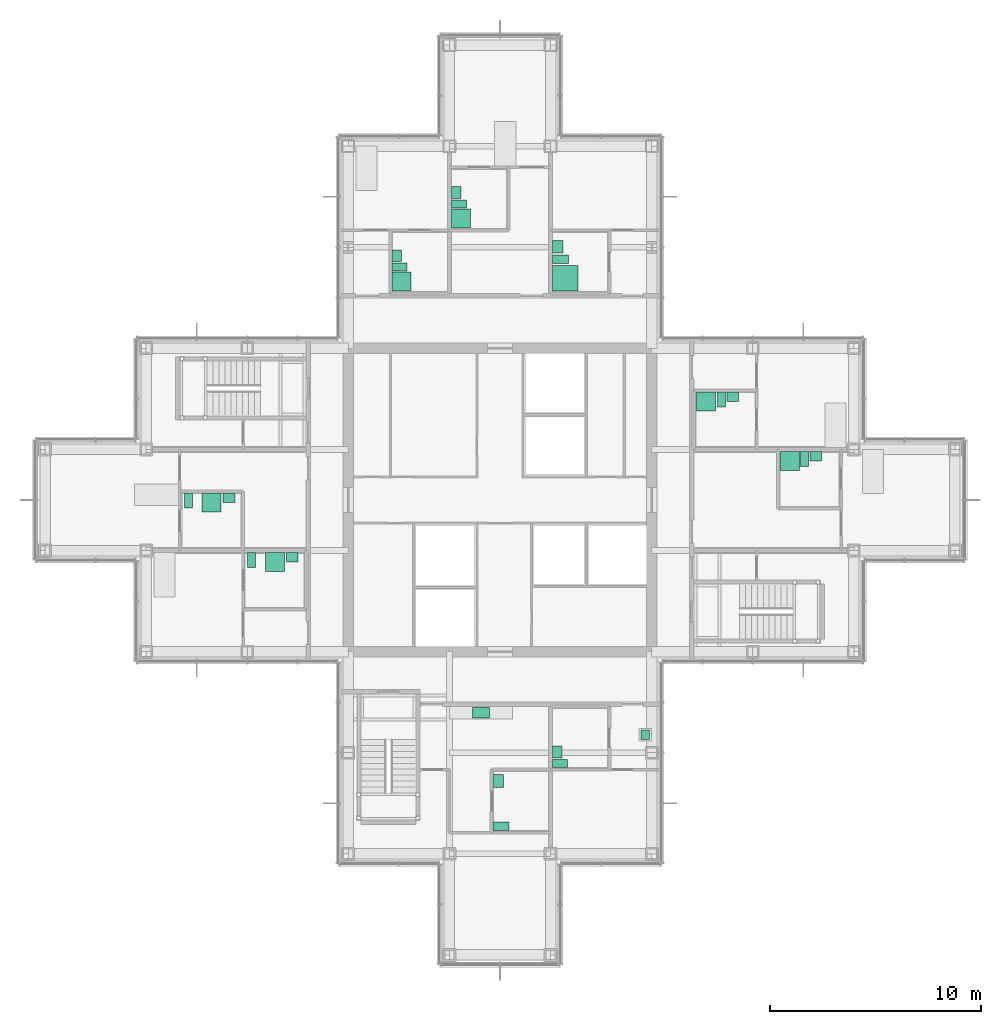
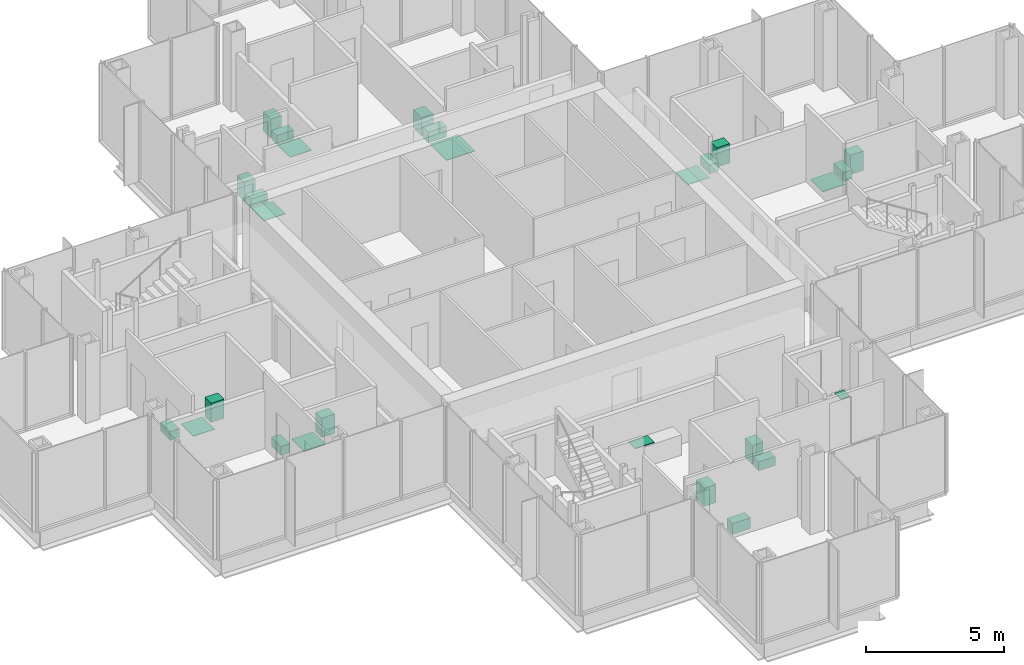
# One storey, part 16 of 17: 27 sanitary terminals.
"""IFC4 building model written with IfcOpenShell, lengths in metres."""

from ifc_helpers import new_model, si_unit, direction, frame, origin, origin_2d, place, context, subcontext, project, spatial, rectangle, extrude, material, type_object, element, save


model = new_model("IFC4")

# Units and contexts
model_context = context("Model", 3, precision=1e-05, world=origin(), true_north=direction((0.0, 1.0)))
body_context = subcontext(model_context, "Body", "Model", "MODEL_VIEW")
ifc_project = project(units=[si_unit("LENGTHUNIT", "METRE"), si_unit("AREAUNIT", "SQUARE_METRE"), si_unit("VOLUMEUNIT", "CUBIC_METRE"), si_unit("PLANEANGLEUNIT", "RADIAN"), si_unit("MASSUNIT", "GRAM", prefix="KILO")], contexts=[model_context])

# Site, building, storey
site_placement = place(None, origin())
site = spatial("IfcSite", under=ifc_project, at=site_placement, CompositionType="ELEMENT")
building_placement = place(site_placement, origin())
building = spatial("IfcBuilding", under=site, at=building_placement, Name="Kvirike Care Tower", CompositionType="ELEMENT")
storey_placement = place(building_placement, frame((0.0, 0.0, 144.5)))
storey = spatial("IfcBuildingStorey", under=building, at=storey_placement, Name="L39", CompositionType="ELEMENT", Elevation=144.5)

# Sanitary terminals
ifc_material_1 = material(Name="Vitreous china", Category="ceramic")
sanitary_terminal_type_1 = type_object("IfcSanitaryTerminalType", Name="ACCESSIBLE WASH BASIN 600 x 500", PredefinedType="WASHHANDBASIN", material=ifc_material_1)
for number, where, z_axis, x_axis, name in (
    (1, (21.527099609375, 22.659912109375, 0.02001953125), (0.0, 0.0, 1.0), (0.0, 1.0, 0.0), "Accessible wash basin L39-014"),
    (2, (24.35205078125, 48.02490234375, 0.02001953125), (0.0, 0.0, 1.0), (0.0, 1.0, 0.0), "Accessible wash basin L39-021"),
):
    element("IfcSanitaryTerminal", number, at=place(storey_placement, frame(where, z_axis=z_axis, x_axis=x_axis)), inside=storey, type_object=sanitary_terminal_type_1, Name=name, PredefinedType="WASHHANDBASIN", context=body_context, shape_type="SweptSolid", body=[
        extrude(rectangle(XDim=0.60009765625, YDim=0.5, at=origin_2d()), origin(), (0.0, 0.0, 1.0), 0.800048828125),
    ])
ifc_material_2 = material(Name="Vitreous china", Category="ceramic")
sanitary_terminal_type_2 = type_object("IfcSanitaryTerminalType", Name="ACCESSIBLE WC PAN 400 x 750", PredefinedType="TOILETPAN", material=ifc_material_2)
for number, where, z_axis, x_axis, name in (
    (3, (21.652099609375, 20.510009765625, 0.02001953125), (0.0, 0.0, 1.0), (0.0, 1.0, 0.0), "Accessible WC pan L39-014"),
    (4, (24.47705078125, 47.425048828125, 0.02001953125), (0.0, 0.0, 1.0), (0.0, 1.0, 0.0), "Accessible WC pan L39-021"),
):
    element("IfcSanitaryTerminal", number, at=place(storey_placement, frame(where, z_axis=z_axis, x_axis=x_axis)), inside=storey, type_object=sanitary_terminal_type_2, Name=name, PredefinedType="TOILETPAN", context=body_context, shape_type="SweptSolid", body=[
        extrude(rectangle(XDim=0.39990234375, YDim=0.75, at=origin_2d()), origin(), (0.0, 0.0, 1.0), 0.47998046875),
    ])
ifc_material_3 = material(Name="Stainless steel", Category="steel")
sanitary_terminal_type_3 = type_object("IfcSanitaryTerminalType", Name="KITCHEN SINK 450 x 400", PredefinedType="SINK", material=ifc_material_3)
sanitary_terminal_1_placement = place(storey_placement, frame((28.498046875, 24.85009765625, 0.89990234375), z_axis=(0.0, 0.0, 1.0), x_axis=(0.0, -1.0, 0.0)))
element("IfcSanitaryTerminal", 5, at=sanitary_terminal_1_placement, inside=storey, type_object=sanitary_terminal_type_3, Name="Kitchen sink L39-018", PredefinedType="SINK", context=body_context, shape_type="SweptSolid", body=[
    extrude(rectangle(XDim=0.449951171875, YDim=0.39990234375, at=origin_2d()), origin(), (0.0, 0.0, 1.0), 0.030029296875),
])
ifc_material_4 = material(Name="Stainless steel", Category="steel")
sanitary_terminal_type_4 = type_object("IfcSanitaryTerminalType", Name="KITCHEN SINK 800 x 500", PredefinedType="SINK", material=ifc_material_4)
sanitary_terminal_2_placement = place(storey_placement, frame((20.699951171875, 25.89794921875, 0.89990234375), z_axis=(0.0, 0.0, 1.0), x_axis=(1.0, 0.0, 0.0)))
element("IfcSanitaryTerminal", 6, at=sanitary_terminal_2_placement, inside=storey, type_object=sanitary_terminal_type_4, Name="Kitchen sink L39-015", PredefinedType="SINK", context=body_context, shape_type="SweptSolid", body=[
    extrude(rectangle(XDim=0.800048828125, YDim=0.5, at=origin_2d()), origin(), (0.0, 0.0, 1.0), 0.030029296875),
])
ifc_material_5 = material(Name="Stainless steel", Category="steel")
sanitary_terminal_type_5 = type_object("IfcSanitaryTerminalType", Name="LEVEL-ACCESS SHOWER 1200 x 1200", PredefinedType="SHOWER", material=ifc_material_5)
sanitary_terminal_3_placement = place(storey_placement, frame((24.701904296875, 46.52490234375, 0.02001953125), z_axis=(0.0, 0.0, 1.0), x_axis=(0.0, 1.0, 0.0)))
element("IfcSanitaryTerminal", 7, at=sanitary_terminal_3_placement, inside=storey, type_object=sanitary_terminal_type_5, Name="Level-access shower L39-021", PredefinedType="SHOWER", context=body_context, shape_type="SweptSolid", body=[
    extrude(rectangle(XDim=1.199951171875, YDim=1.199951171875, at=origin_2d()), origin(), (0.0, 0.0, 1.0), 0.02001953125),
])
ifc_material_6 = material(Name="Stainless steel", Category="steel")
sanitary_terminal_type_6 = type_object("IfcSanitaryTerminalType", Name="LEVEL-ACCESS SHOWER 900 x 900", PredefinedType="SHOWER", material=ifc_material_6)
for number, where, z_axis, x_axis, name in (
    (8, (7.909912109375, 35.873046875, 0.02001953125), (0.0, 0.0, 1.0), (1.0, 0.0, 0.0), "Level-access shower L39-006"),
    (9, (10.909912109375, 33.048095703125, 0.02001953125), (0.0, 0.0, 1.0), (1.0, 0.0, 0.0), "Level-access shower L39-009"),
    (10, (19.751953125, 49.375, 0.02001953125), (0.0, 0.0, 1.0), (0.0, 1.0, 0.0), "Level-access shower L39-024"),
    (11, (16.927001953125, 46.375, 0.02001953125), (0.0, 0.0, 1.0), (0.0, 1.0, 0.0), "Level-access shower L39-027"),
    (12, (35.375, 37.847900390625, 0.02001953125), (0.0, 0.0, 1.0), (1.0, 0.0, 0.0), "Level-access shower L39-034"),
    (13, (31.375, 40.673095703125, 0.02001953125), (0.0, 0.0, 1.0), (1.0, 0.0, 0.0), "Level-access shower L39-037"),
):
    element("IfcSanitaryTerminal", number, at=place(storey_placement, frame(where, z_axis=z_axis, x_axis=x_axis)), inside=storey, type_object=sanitary_terminal_type_6, Name=name, PredefinedType="SHOWER", context=body_context, shape_type="SweptSolid", body=[
        extrude(rectangle(XDim=0.89990234375, YDim=0.89990234375, at=origin_2d()), origin(), (0.0, 0.0, 1.0), 0.02001953125),
    ])
ifc_material_7 = material(Name="Vitreous china", Category="ceramic")
sanitary_terminal_type_7 = type_object("IfcSanitaryTerminalType", Name="WASH BASIN 550 x 450", PredefinedType="WASHHANDBASIN", material=ifc_material_7)
for number, where, z_axis, x_axis, name in (
    (14, (8.735107421875, 36.097900390625, 0.02001953125), (0.0, 0.0, 1.0), (1.0, 0.0, 0.0), "Wash basin L39-006"),
    (15, (11.735107421875, 33.27294921875, 0.02001953125), (0.0, 0.0, 1.0), (1.0, 0.0, 0.0), "Wash basin L39-009"),
    (16, (24.326904296875, 24.034912109375, 0.02001953125), (0.0, 0.0, 1.0), (0.0, 1.0, 0.0), "Wash basin L39-017"),
    (17, (19.527099609375, 50.60009765625, 0.02001953125), (0.0, 0.0, 1.0), (0.0, 1.0, 0.0), "Wash basin L39-024"),
    (18, (16.701904296875, 47.60009765625, 0.02001953125), (0.0, 0.0, 1.0), (0.0, 1.0, 0.0), "Wash basin L39-027"),
    (19, (36.60009765625, 38.072998046875, 0.02001953125), (0.0, 0.0, 1.0), (1.0, 0.0, 0.0), "Wash basin L39-034"),
    (20, (32.64990234375, 40.89794921875, 0.02001953125), (0.0, 0.0, 1.0), (1.0, 0.0, 0.0), "Wash basin L39-037"),
):
    element("IfcSanitaryTerminal", number, at=place(storey_placement, frame(where, z_axis=z_axis, x_axis=x_axis)), inside=storey, type_object=sanitary_terminal_type_7, Name=name, PredefinedType="WASHHANDBASIN", context=body_context, shape_type="SweptSolid", body=[
        extrude(rectangle(XDim=0.550048828125, YDim=0.449951171875, at=origin_2d()), origin(), (0.0, 0.0, 1.0), 0.85009765625),
    ])
ifc_material_8 = material(Name="Vitreous china", Category="ceramic")
sanitary_terminal_type_8 = type_object("IfcSanitaryTerminalType", Name="WC PAN 380 x 700", PredefinedType="TOILETPAN", material=ifc_material_8)
for number, where, z_axis, x_axis, name in (
    (21, (6.800048828125, 35.972900390625, 0.02001953125), (0.0, 0.0, 1.0), (1.0, 0.0, 0.0), "WC pan L39-006"),
    (22, (9.800048828125, 33.14794921875, 0.02001953125), (0.0, 0.0, 1.0), (1.0, 0.0, 0.0), "WC pan L39-009"),
    (23, (24.451904296875, 23.5, 0.02001953125), (0.0, 0.0, 1.0), (0.0, 1.0, 0.0), "WC pan L39-017"),
    (24, (19.652099609375, 50.06494140625, 0.02001953125), (0.0, 0.0, 1.0), (0.0, 1.0, 0.0), "WC pan L39-024"),
    (25, (16.826904296875, 47.06494140625, 0.02001953125), (0.0, 0.0, 1.0), (0.0, 1.0, 0.0), "WC pan L39-027"),
    (26, (36.06494140625, 37.947998046875, 0.02001953125), (0.0, 0.0, 1.0), (1.0, 0.0, 0.0), "WC pan L39-034"),
    (27, (32.114990234375, 40.77294921875, 0.02001953125), (0.0, 0.0, 1.0), (1.0, 0.0, 0.0), "WC pan L39-037"),
):
    element("IfcSanitaryTerminal", number, at=place(storey_placement, frame(where, z_axis=z_axis, x_axis=x_axis)), inside=storey, type_object=sanitary_terminal_type_8, Name=name, PredefinedType="TOILETPAN", context=body_context, shape_type="SweptSolid", body=[
        extrude(rectangle(XDim=0.3798828125, YDim=0.699951171875, at=origin_2d()), origin(), (0.0, 0.0, 1.0), 0.39990234375),
    ])

save(model, "model.ifc")
